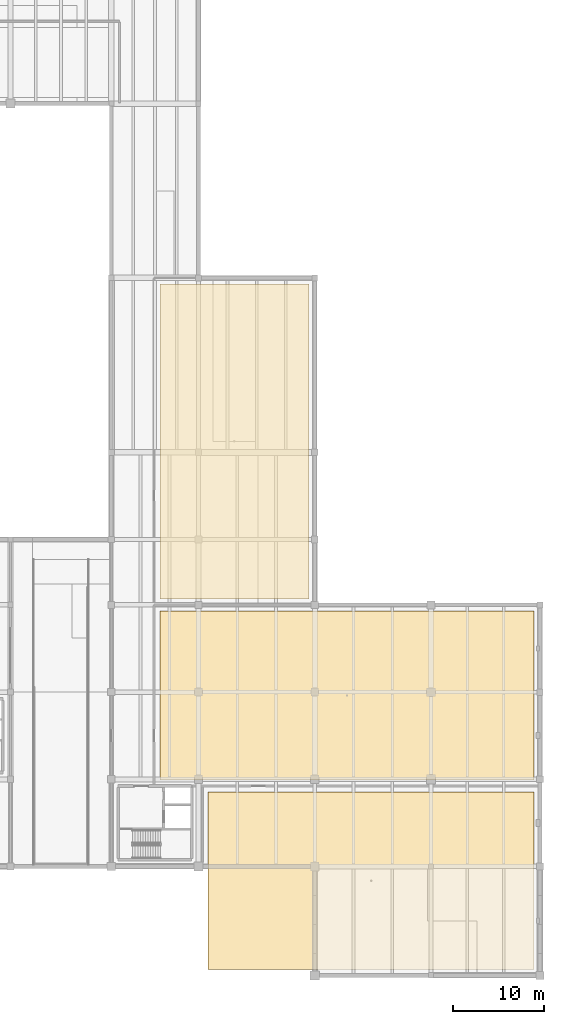
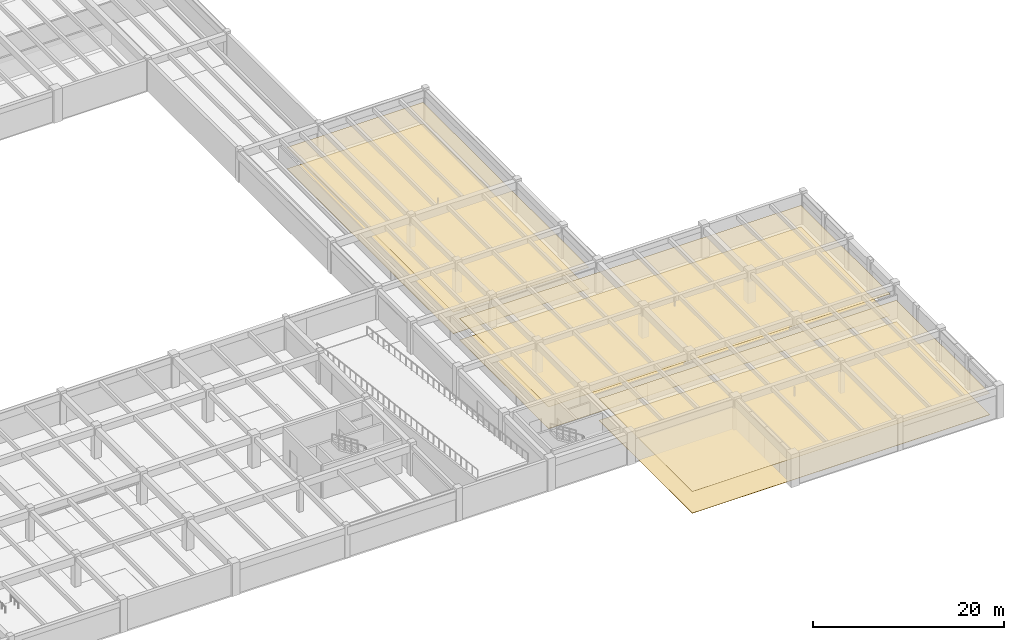
# One storey, part 28 of 28: 6 coverings.
"""IFC4 building model written with IfcOpenShell, lengths in metres."""

from ifc_helpers import new_model, si_unit, direction, frame, origin, place, context, subcontext, project, spatial, polyline, outline, extrude, material, layer, layer_set, type_object, element, save


model = new_model("IFC4")

# Units and contexts
model_context = context("Model", 3, precision=1e-05, world=origin(), true_north=direction((0.0, 1.0)))
body_context = subcontext(model_context, "Body", "Model", "MODEL_VIEW")
ifc_project = project(units=[si_unit("LENGTHUNIT", "METRE"), si_unit("AREAUNIT", "SQUARE_METRE"), si_unit("VOLUMEUNIT", "CUBIC_METRE"), si_unit("PLANEANGLEUNIT", "RADIAN"), si_unit("MASSUNIT", "GRAM", prefix="KILO")], contexts=[model_context])

# Site, building, storey
site_placement = place(None, origin())
site = spatial("IfcSite", under=ifc_project, at=site_placement, CompositionType="ELEMENT")
building_placement = place(site_placement, origin())
building = spatial("IfcBuilding", under=site, at=building_placement, Name="Fikremerkos Civic Library", CompositionType="ELEMENT")
storey_placement = place(building_placement, frame((0.0, 0.0, -4.199951171875)))
storey = spatial("IfcBuildingStorey", under=building, at=storey_placement, Name="B01", CompositionType="ELEMENT", Elevation=-4.199951171875)

# Coverings
ifc_material_1 = material(Name="Perforated acoustic cedar timber", Category="wood")
ifc_layer_1 = layer(ifc_material_1, 0.02490234375, Name="Perforated acoustic cedar timber")
ifc_layer_set_1 = layer_set([ifc_layer_1], Name="Perforated acoustic cedar timber")
covering_type_1 = type_object("IfcCoveringType", Name="Acoustic perforated timber ceiling CLG-01", PredefinedType="CEILING", material=ifc_layer_set_1)
covering_1_placement = place(storey_placement, frame((0.0, 0.0, 2.760009765625)))
element("IfcCovering", 1, at=covering_1_placement, inside=storey, type_object=covering_type_1, Name="Acoustic ceiling Book Delivery Loading Dock", PredefinedType="CEILING", context=body_context, shape_type="SweptSolid", body=[
    extrude(outline(polyline([(130.14990234375, 21.5), (130.14990234375, 40.14990234375), (171.35009765625, 40.14990234375), (171.35009765625, 21.5), (130.14990234375, 21.5)])), origin(), (0.0, 0.0, 1.0), 0.02490234375),
])
covering_2_placement = place(storey_placement, frame((0.0, 0.0, 2.75)))
element("IfcCovering", 2, at=covering_2_placement, inside=storey, type_object=covering_type_1, Name="Acoustic ceiling Collection Sorting and Quarantine Room", PredefinedType="CEILING", context=body_context, shape_type="SweptSolid", body=[
    extrude(outline(polyline([(130.14990234375, 41.449951171875), (130.14990234375, 76.14990234375), (146.550048828125, 76.14990234375), (146.550048828125, 41.449951171875), (130.14990234375, 41.449951171875)])), origin(), (0.0, 0.0, 1.0), 0.02490234375),
])
covering_3_placement = place(storey_placement, frame((0.0, 0.0, 2.75)))
element("IfcCovering", 3, at=covering_3_placement, inside=storey, type_object=covering_type_1, Name="Acoustic ceiling Mechanical Ventilation Plant Room", PredefinedType="CEILING", context=body_context, shape_type="SweptSolid", body=[
    extrude(outline(polyline([(135.449951171875, 0.64990234375), (135.449951171875, 20.199951171875), (171.35009765625, 20.199951171875), (171.35009765625, 0.64990234375), (135.449951171875, 0.64990234375)])), origin(), (0.0, 0.0, 1.0), 0.02490234375),
])
ifc_material_2 = material(Name="Polished basalt terrazzo", Category="masonry")
ifc_layer_2 = layer(ifc_material_2, 0.030029296875, Name="Polished basalt terrazzo")
ifc_layer_set_2 = layer_set([ifc_layer_2], Name="Polished basalt terrazzo")
covering_type_2 = type_object("IfcCoveringType", Name="Polished basalt terrazzo flooring FLR-01", PredefinedType="FLOORING", material=ifc_layer_set_2)
covering_4_placement = place(storey_placement, origin())
element("IfcCovering", 4, at=covering_4_placement, inside=storey, type_object=covering_type_2, Name="Terrazzo floor finish Book Delivery Loading Dock", PredefinedType="FLOORING", context=body_context, shape_type="SweptSolid", body=[
    extrude(outline(polyline([(130.14990234375, 21.5), (130.14990234375, 40.14990234375), (171.35009765625, 40.14990234375), (171.35009765625, 21.5), (130.14990234375, 21.5)])), origin(), (0.0, 0.0, 1.0), 0.030029296875),
])
covering_5_placement = place(storey_placement, origin())
element("IfcCovering", 5, at=covering_5_placement, inside=storey, type_object=covering_type_2, Name="Terrazzo floor finish Collection Sorting and Quarantine Room", PredefinedType="FLOORING", context=body_context, shape_type="SweptSolid", body=[
    extrude(outline(polyline([(130.14990234375, 41.449951171875), (130.14990234375, 76.14990234375), (146.550048828125, 76.14990234375), (146.550048828125, 41.449951171875), (130.14990234375, 41.449951171875)])), origin(), (0.0, 0.0, 1.0), 0.030029296875),
])
covering_6_placement = place(storey_placement, origin())
element("IfcCovering", 6, at=covering_6_placement, inside=storey, type_object=covering_type_2, Name="Terrazzo floor finish Mechanical Ventilation Plant Room", PredefinedType="FLOORING", context=body_context, shape_type="SweptSolid", body=[
    extrude(outline(polyline([(135.449951171875, 0.64990234375), (135.449951171875, 20.199951171875), (171.35009765625, 20.199951171875), (171.35009765625, 0.64990234375), (135.449951171875, 0.64990234375)])), origin(), (0.0, 0.0, 1.0), 0.030029296875),
])

save(model, "model.ifc")
